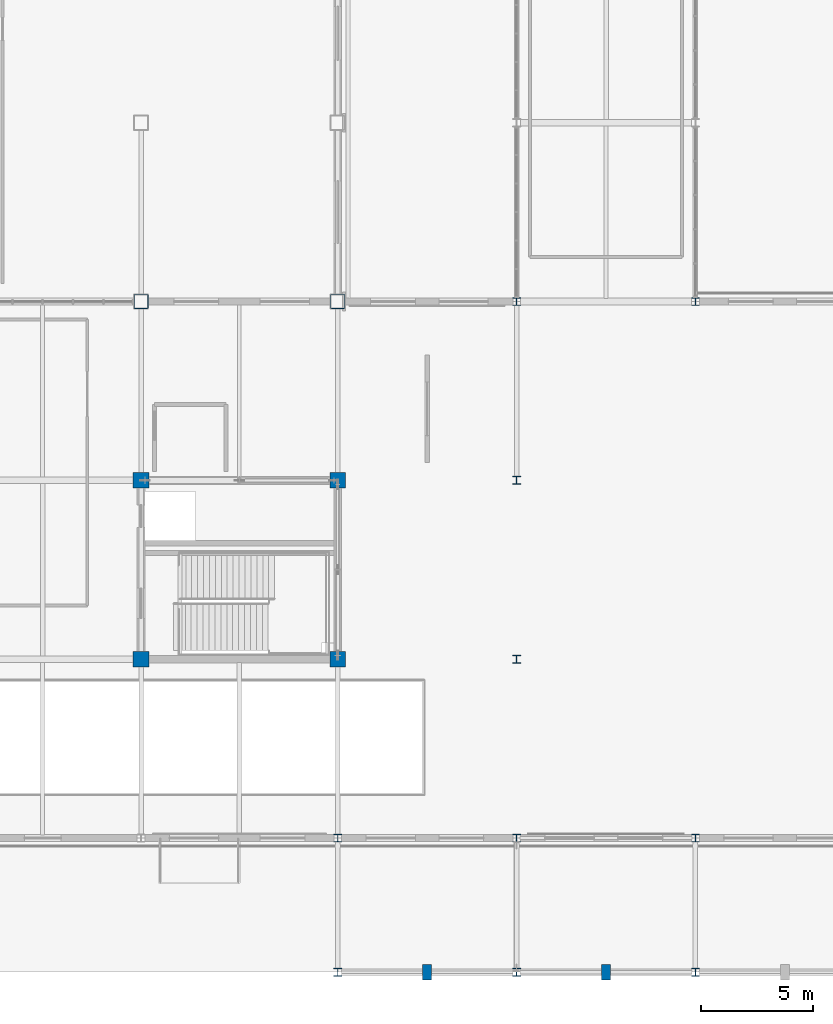
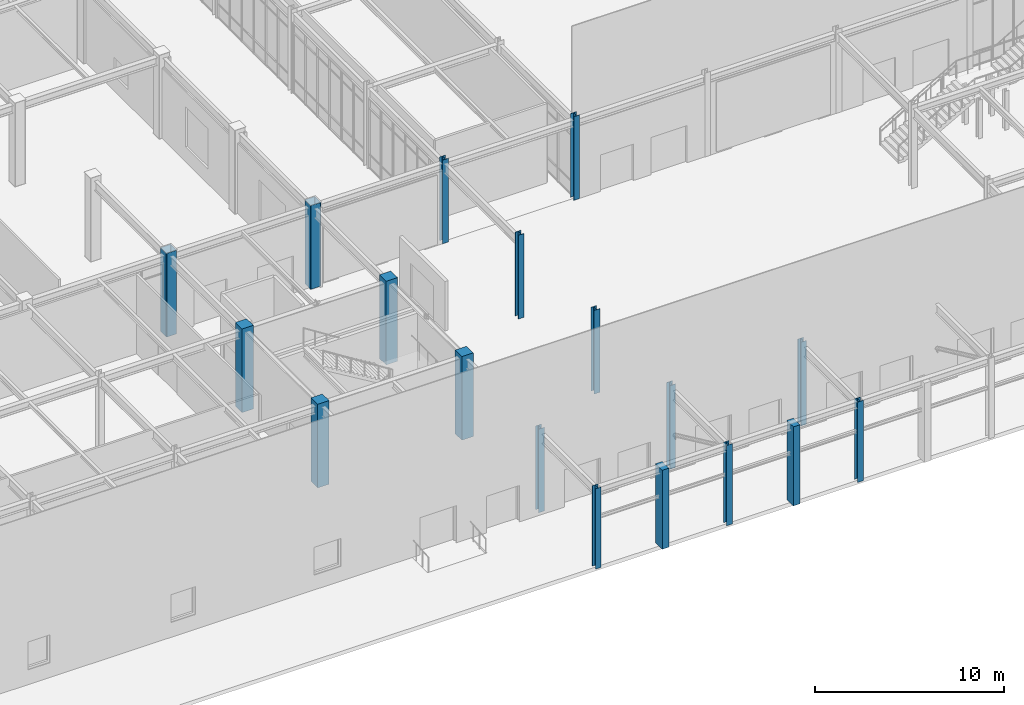
# One storey, part 2 of 119: 18 columns.
"""IFC4 building model written with IfcOpenShell, lengths in metres."""

from ifc_helpers import new_model, si_unit, direction, frame, origin, origin_2d, place, context, subcontext, project, spatial, rectangle, hollow_rectangle, i_section, extrude, material, material_profile, profile_set, type_object, element, save


model = new_model("IFC4")

# Units and contexts
model_context = context("Model", 3, precision=1e-05, world=origin(), true_north=direction((0.0, 1.0)))
body_context = subcontext(model_context, "Body", "Model", "MODEL_VIEW")
ifc_project = project(units=[si_unit("LENGTHUNIT", "METRE"), si_unit("AREAUNIT", "SQUARE_METRE"), si_unit("VOLUMEUNIT", "CUBIC_METRE"), si_unit("PLANEANGLEUNIT", "RADIAN"), si_unit("MASSUNIT", "GRAM", prefix="KILO")], contexts=[model_context])

# Site, building, storey
site_placement = place(None, origin())
site = spatial("IfcSite", under=ifc_project, at=site_placement, CompositionType="ELEMENT")
building_placement = place(site_placement, origin())
building = spatial("IfcBuilding", under=site, at=building_placement, Name="Zhaolan Boulevard Law Courts", CompositionType="ELEMENT")
storey_placement = place(building_placement, origin())
storey = spatial("IfcBuildingStorey", under=building, at=storey_placement, Name="L00", CompositionType="ELEMENT", Elevation=0.0)

# Columns
ifc_material_1 = material(Name="Structural steel Q390B", Category="steel")
ifc_material_profile_1 = material_profile(ifc_material_1, hollow_rectangle(XDim=0.64990234375, YDim=0.64990234375, WallThickness=0.02587890625, InnerFilletRadius=0.02587890625, OuterFilletRadius=0.052001953125, at=origin_2d()), Name="BOX650x650x26")
ifc_profile_set_1 = profile_set([ifc_material_profile_1], Name="Structural steel Q390B")
column_type_1 = type_object("IfcColumnType", Name="COL BOX650", PredefinedType="COLUMN", material=ifc_profile_set_1)
for number, where, z_axis, x_axis, name in (
    (1, (35.199951171875, 30.0, 0.0), (0.0, 0.0, 1.0), (1.0, 0.0, 0.0), "Column C-5E (L00)"),
    (2, (44.0, 30.0, 0.0), (0.0, 0.0, 1.0), (1.0, 0.0, 0.0), "Column C-6E (L00)"),
):
    element("IfcColumn", number, at=place(storey_placement, frame(where, z_axis=z_axis, x_axis=x_axis)), inside=storey, type_object=column_type_1, Name=name, PredefinedType="COLUMN", context=body_context, shape_type="SweptSolid", body=[
        extrude(hollow_rectangle(XDim=0.64990234375, YDim=0.64990234375, WallThickness=0.02587890625, InnerFilletRadius=0.02587890625, OuterFilletRadius=0.052001953125, at=origin_2d()), origin(), (0.0, 0.0, 1.0), 5.39990234375),
    ])
ifc_material_2 = material(Name="Structural steel Q355B", Category="steel")
ifc_material_profile_2 = material_profile(ifc_material_2, i_section(OverallWidth=0.35009765625, OverallDepth=0.35009765625, WebThickness=0.011962890625, FlangeThickness=0.01904296875, FilletRadius=0.02001953125, at=origin_2d()), Name="HW350x350")
ifc_profile_set_2 = profile_set([ifc_material_profile_2], Name="Structural steel Q355B")
column_type_2 = type_object("IfcColumnType", Name="COL HW350", PredefinedType="COLUMN", material=ifc_profile_set_2)
column_1_placement = place(storey_placement, frame((44.0, 0.0, 0.0), z_axis=(0.0, 0.0, 1.0), x_axis=(1.0, 0.0, 0.0)))
element("IfcColumn", 3, at=column_1_placement, inside=storey, type_object=column_type_2, Name="Column C-6A (L00)", PredefinedType="COLUMN", context=body_context, shape_type="SweptSolid", body=[
    extrude(i_section(OverallWidth=0.35009765625, OverallDepth=0.35009765625, WebThickness=0.011962890625, FlangeThickness=0.01904296875, FilletRadius=0.02001953125, at=origin_2d()), origin(), (0.0, 0.0, 1.0), 5.179931640625),
])
column_2_placement = place(storey_placement, frame((44.0, 6.0, 0.0), z_axis=(0.0, 0.0, 1.0), x_axis=(1.0, 0.0, 0.0)))
element("IfcColumn", 4, at=column_2_placement, inside=storey, type_object=column_type_2, Name="Column C-6B (L00)", PredefinedType="COLUMN", context=body_context, shape_type="SweptSolid", body=[
    extrude(i_section(OverallWidth=0.35009765625, OverallDepth=0.35009765625, WebThickness=0.011962890625, FlangeThickness=0.01904296875, FilletRadius=0.02001953125, at=origin_2d()), origin(), (0.0, 0.0, 1.0), 5.39990234375),
])
column_3_placement = place(storey_placement, frame((52.0, 0.0, 0.0), z_axis=(0.0, 0.0, 1.0), x_axis=(1.0, 0.0, 0.0)))
element("IfcColumn", 5, at=column_3_placement, inside=storey, type_object=column_type_2, Name="Column C-7A (L00)", PredefinedType="COLUMN", context=body_context, shape_type="SweptSolid", body=[
    extrude(i_section(OverallWidth=0.35009765625, OverallDepth=0.35009765625, WebThickness=0.011962890625, FlangeThickness=0.01904296875, FilletRadius=0.02001953125, at=origin_2d()), origin(), (0.0, 0.0, 1.0), 5.179931640625),
])
for number, where, z_axis, x_axis, name in (
    (6, (52.0, 6.0, 0.0), (0.0, 0.0, 1.0), (1.0, 0.0, 0.0), "Column C-7B (L00)"),
    (7, (52.0, 14.0, 0.0), (0.0, 0.0, 1.0), (1.0, 0.0, 0.0), "Column C-7C (L00)"),
    (8, (52.0, 22.0, 0.0), (0.0, 0.0, 1.0), (1.0, 0.0, 0.0), "Column C-7D (L00)"),
    (9, (52.0, 30.0, 0.0), (0.0, 0.0, 1.0), (1.0, 0.0, 0.0), "Column C-7E (L00)"),
):
    element("IfcColumn", number, at=place(storey_placement, frame(where, z_axis=z_axis, x_axis=x_axis)), inside=storey, type_object=column_type_2, Name=name, PredefinedType="COLUMN", context=body_context, shape_type="SweptSolid", body=[
        extrude(i_section(OverallWidth=0.35009765625, OverallDepth=0.35009765625, WebThickness=0.011962890625, FlangeThickness=0.01904296875, FilletRadius=0.02001953125, at=origin_2d()), origin(), (0.0, 0.0, 1.0), 5.39990234375),
    ])
column_4_placement = place(storey_placement, frame((60.0, 0.0, 0.0), z_axis=(0.0, 0.0, 1.0), x_axis=(1.0, 0.0, 0.0)))
element("IfcColumn", 10, at=column_4_placement, inside=storey, type_object=column_type_2, Name="Column C-8A (L00)", PredefinedType="COLUMN", context=body_context, shape_type="SweptSolid", body=[
    extrude(i_section(OverallWidth=0.35009765625, OverallDepth=0.35009765625, WebThickness=0.011962890625, FlangeThickness=0.01904296875, FilletRadius=0.02001953125, at=origin_2d()), origin(), (0.0, 0.0, 1.0), 5.179931640625),
])
for number, where, z_axis, x_axis, name in (
    (11, (60.0, 6.0, 0.0), (0.0, 0.0, 1.0), (1.0, 0.0, 0.0), "Column C-8B (L00)"),
    (12, (60.0, 30.0, 0.0), (0.0, 0.0, 1.0), (1.0, 0.0, 0.0), "Column C-8E (L00)"),
):
    element("IfcColumn", number, at=place(storey_placement, frame(where, z_axis=z_axis, x_axis=x_axis)), inside=storey, type_object=column_type_2, Name=name, PredefinedType="COLUMN", context=body_context, shape_type="SweptSolid", body=[
        extrude(i_section(OverallWidth=0.35009765625, OverallDepth=0.35009765625, WebThickness=0.011962890625, FlangeThickness=0.01904296875, FilletRadius=0.02001953125, at=origin_2d()), origin(), (0.0, 0.0, 1.0), 5.39990234375),
    ])
ifc_material_3 = material(Name="Concrete C50", Category="concrete")
ifc_material_profile_3 = material_profile(ifc_material_3, rectangle(XDim=0.699951171875, YDim=0.699951171875, at=origin_2d()), Name="RC700x700")
ifc_profile_set_3 = profile_set([ifc_material_profile_3], Name="Concrete C50")
column_type_3 = type_object("IfcColumnType", Name="COL RC700", PredefinedType="COLUMN", material=ifc_profile_set_3)
for number, where, z_axis, x_axis, name in (
    (13, (35.199951171875, 14.0, 0.0), (0.0, 0.0, 1.0), (1.0, 0.0, 0.0), "Column C-5C (L00)"),
    (14, (35.199951171875, 22.0, 0.0), (0.0, 0.0, 1.0), (1.0, 0.0, 0.0), "Column C-5D (L00)"),
    (15, (44.0, 14.0, 0.0), (0.0, 0.0, 1.0), (1.0, 0.0, 0.0), "Column C-6C (L00)"),
    (16, (44.0, 22.0, 0.0), (0.0, 0.0, 1.0), (1.0, 0.0, 0.0), "Column C-6D (L00)"),
):
    element("IfcColumn", number, at=place(storey_placement, frame(where, z_axis=z_axis, x_axis=x_axis)), inside=storey, type_object=column_type_3, Name=name, PredefinedType="COLUMN", context=body_context, shape_type="SweptSolid", body=[
        extrude(rectangle(XDim=0.699951171875, YDim=0.699951171875, at=origin_2d()), origin(), (0.0, 0.0, 1.0), 5.39990234375),
    ])
ifc_material_4 = material(Name="Concrete C40", Category="concrete")
ifc_material_profile_4 = material_profile(ifc_material_4, rectangle(XDim=0.39990234375, YDim=0.699951171875, at=origin_2d()), Name="RC400x700")
ifc_profile_set_4 = profile_set([ifc_material_profile_4], Name="Concrete C40")
column_type_4 = type_object("IfcColumnType", Name="PILASTER 400X700", PredefinedType="PILASTER", material=ifc_profile_set_4)
for number, where, z_axis, x_axis, name in (
    (17, (48.0, 0.0, 0.0), (0.0, 0.0, 1.0), (1.0, 0.0, 0.0), "Facade Pilaster PIL-01 (L00)"),
    (18, (56.0, 0.0, 0.0), (0.0, 0.0, 1.0), (1.0, 0.0, 0.0), "Facade Pilaster PIL-02 (L00)"),
):
    element("IfcColumn", number, at=place(storey_placement, frame(where, z_axis=z_axis, x_axis=x_axis)), inside=storey, type_object=column_type_4, Name=name, PredefinedType="PILASTER", context=body_context, shape_type="SweptSolid", body=[
        extrude(rectangle(XDim=0.39990234375, YDim=0.699951171875, at=origin_2d()), origin(), (0.0, 0.0, 1.0), 5.10009765625),
    ])

save(model, "model.ifc")
